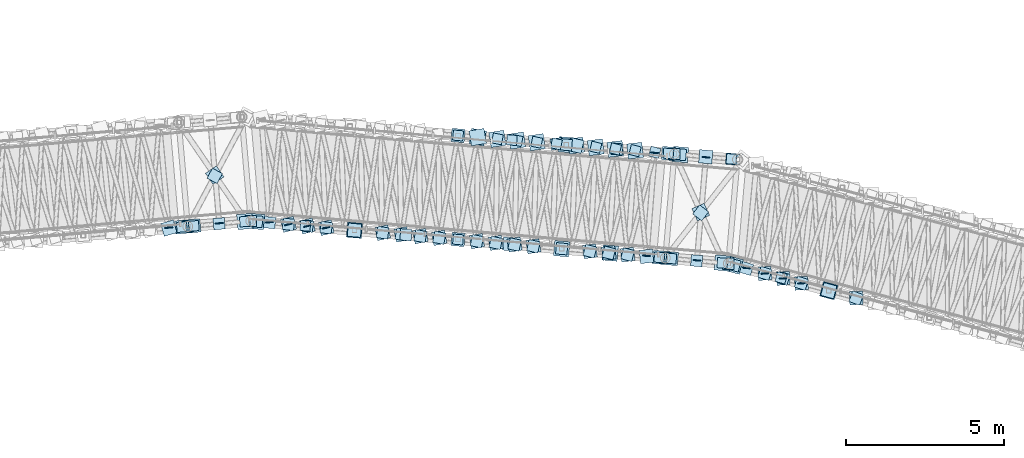
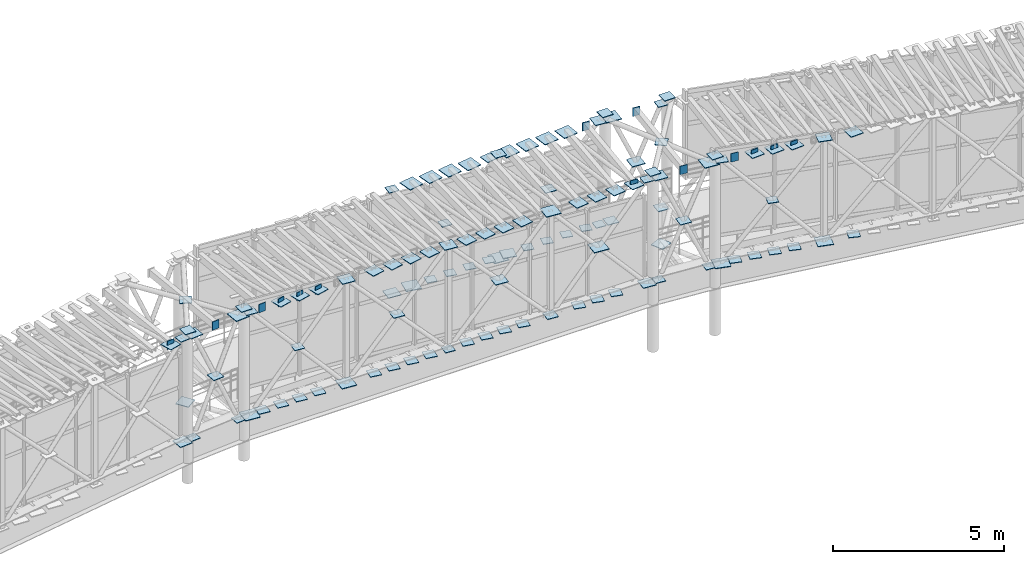
# One storey, part 98 of 144: 127 plates.
"""IFC4 building model written with IfcOpenShell, lengths in metres."""

from ifc_helpers import new_model, si_unit, direction, frame, origin, origin_2d, place, context, subcontext, project, spatial, rectangle, extrude, material, layer, layer_set, type_object, element, save


model = new_model("IFC4")

# Units and contexts
model_context = context("Model", 3, precision=1e-05, world=origin(), true_north=direction((0.0, 1.0)))
body_context = subcontext(model_context, "Body", "Model", "MODEL_VIEW")
ifc_project = project(units=[si_unit("LENGTHUNIT", "METRE"), si_unit("AREAUNIT", "SQUARE_METRE"), si_unit("VOLUMEUNIT", "CUBIC_METRE"), si_unit("PLANEANGLEUNIT", "RADIAN"), si_unit("MASSUNIT", "GRAM", prefix="KILO")], contexts=[model_context])

# Site, building, storey
site_placement = place(None, origin())
site = spatial("IfcSite", under=ifc_project, at=site_placement, CompositionType="ELEMENT")
building_placement = place(site_placement, origin())
building = spatial("IfcBuilding", under=site, at=building_placement, Name="Cinderbank Siding Concert Hall", CompositionType="ELEMENT")
storey_placement = place(building_placement, frame((0.0, 0.0, 5.39990234375)))
storey = spatial("IfcBuildingStorey", under=building, at=storey_placement, Name="L02", CompositionType="ELEMENT", Elevation=5.39990234375)

# Plates
ifc_material = material(Name="Structural steel welded plate section AS/NZS 3679.2 / AS/NZS 3678 Grade 350 (340 MPa)", Category="steel")
ifc_layer_1 = layer(ifc_material, 0.02490234375)
ifc_layer_set_1 = layer_set([ifc_layer_1], Name="Structural steel welded plate section AS/NZS 3679.2 / AS/NZS 3678 Grade 350 (340 MPa)")
plate_type_1 = type_object("IfcPlateType", Name="GP-01 Steel Gusset Cap Plate 480x480x25", PredefinedType="SHEET", material=ifc_layer_set_1)
for number, where, z_axis, x_axis, name in (
    (1, (79.291748046875, 99.131591796875, 5.15771484375), (0.0, 0.0, 1.0), (0.996209894465, 0.086981872646, 0.0), "L02 Steel Node Gusset Plate GP-01 #316"),
    (2, (89.450927734375, 101.556884765625, 2.177734375), (0.0, 0.0, 1.0), (0.996345296191, -0.085416923137, 0.0), "L02 Steel Node Gusset Plate GP-01 #332"),
    (3, (79.670166015625, 99.131103515625, 1.471435546875), (0.0, 0.0, 1.0), (0.996025535259, -0.089068137472, 0.0), "L02 Steel Node Gusset Plate GP-01 #336"),
    (4, (82.756591796875, 98.855224609375, 1.69775390625), (0.0, 0.0, 1.0), (0.996025535259, -0.089068137472, 0.0), "L02 Steel Node Gusset Plate GP-01 #340"),
    (5, (89.3076171875, 98.269775390625, 5.877685546875), (0.0, 0.0, 1.0), (0.996025535259, -0.089068137472, 0.0), "L02 Steel Node Gusset Plate GP-01 #344"),
    (6, (90.8408203125, 98.1328125, 4.15185546875), (0.0, 0.0, 1.0), (0.996025535259, -0.089068137472, 0.0), "L02 Steel Node Gusset Plate GP-01 #348"),
    (7, (86.653564453125, 101.796630859375, 2.01123046875), (0.0, 0.0, 1.0), (0.188752663223, 0.982024659632, 0.0), "L02 Steel Node Gusset Plate GP-01 #384"),
    (8, (86.653564453125, 101.796630859375, 5.6513671875), (0.0, 0.0, 1.0), (0.167973243363, -0.9857915548, 0.0), "L02 Steel Node Gusset Plate GP-01 #388"),
    (9, (87.275390625, 101.743408203125, 5.695068359375), (0.0, 0.0, 1.0), (0.160570299793, -0.987024406397, 0.0), "L02 Steel Node Gusset Plate GP-01 #392"),
    (10, (87.89697265625, 101.690185546875, 5.738525390625), (0.0, 0.0, 1.0), (0.152985836284, -0.988228381447, 0.0), "L02 Steel Node Gusset Plate GP-01 #396"),
    (11, (88.5185546875, 101.636962890625, 5.7822265625), (0.0, 0.0, 1.0), (0.145392350643, -0.989374077068, 0.0), "L02 Steel Node Gusset Plate GP-01 #400"),
    (12, (89.76171875, 101.530517578125, 5.869384765625), (0.0, 0.0, 1.0), (0.130353150461, -0.991467627391, 0.0), "L02 Steel Node Gusset Plate GP-01 #404"),
    (13, (90.383544921875, 101.47705078125, 5.9130859375), (0.0, 0.0, 1.0), (0.122735456807, -0.992439422656, 0.0), "L02 Steel Node Gusset Plate GP-01 #408"),
    (14, (91.005126953125, 101.423828125, 5.956787109375), (0.0, 0.0, 1.0), (0.115110524996, -0.993352690153, 0.0), "L02 Steel Node Gusset Plate GP-01 #412"),
    (15, (91.626708984375, 101.37060546875, 6.000244140625), (0.0, 0.0, 1.0), (0.10730528114, -0.994226119472, 0.0), "L02 Steel Node Gusset Plate GP-01 #416"),
    (16, (93.059326171875, 101.24755859375, 6.11767578125), (0.0, 0.0, 1.0), (0.996209894465, -0.086981872646, 0.0), "L02 Steel Node Gusset Plate GP-01 #420"),
    (17, (94.3857421875, 97.818603515625, 6.11767578125), (0.0, 0.0, 1.0), (0.996164214307, -0.08750347498, 0.0), "L02 Steel Node Gusset Plate GP-01 #424"),
    (18, (94.75830078125, 97.75244140625, 2.431640625), (0.0, 0.0, 1.0), (0.965427149561, -0.260673011437, 0.0), "L02 Steel Node Gusset Plate GP-01 #444"),
    (19, (97.749755859375, 96.945068359375, 2.65771484375), (0.0, 0.0, 1.0), (0.965427149561, -0.260673011437, 0.0), "L02 Steel Node Gusset Plate GP-01 #448"),
):
    element("IfcPlate", number, at=place(storey_placement, frame(where, z_axis=z_axis, x_axis=x_axis)), inside=storey, type_object=plate_type_1, Name=name, PredefinedType="SHEET", context=body_context, shape_type="SweptSolid", body=[
        extrude(rectangle(XDim=0.47998046875, YDim=0.47998046875, at=origin_2d()), origin(), (0.0, 0.0, 1.0), 0.02490234375),
    ])
ifc_layer_2 = layer(ifc_material, 0.02197265625)
ifc_layer_set_2 = layer_set([ifc_layer_2], Name="Structural steel welded plate section AS/NZS 3679.2 / AS/NZS 3678 Grade 350 (340 MPa)")
plate_type_2 = type_object("IfcPlateType", Name="GP-02 Steel Gusset Cap Plate 420x420x22", PredefinedType="SHEET", material=ifc_layer_set_2)
for number, where, z_axis, x_axis, name in (
    (20, (77.2998046875, 98.95751953125, 1.4453125), (0.0, 0.0, 1.0), (0.996255301507, 0.086460246466, 0.0), "L02 Steel Node Gusset Plate GP-02 #245"),
    (21, (76.88818359375, 98.921875, 5.08544921875), (0.0, 0.0, 1.0), (0.273791358997, -0.961789109805, 0.0), "L02 Steel Node Gusset Plate GP-02 #309"),
    (22, (77.67822265625, 98.990478515625, 5.1591796875), (0.0, 0.0, 1.0), (0.996209894465, 0.086981872646, 0.0), "L02 Steel Node Gusset Plate GP-02 #317"),
    (23, (78.340087890625, 100.598388671875, 1.509033203125), (0.0, 0.0, 1.0), (0.564967003425, -0.825113498278, 0.0), "L02 Steel Node Gusset Plate GP-02 #321"),
    (24, (86.031982421875, 101.85009765625, 1.939208984375), (0.0, 0.0, 1.0), (0.996345296191, -0.085416923137, 0.0), "L02 Steel Node Gusset Plate GP-02 #329"),
    (25, (92.6806640625, 101.2802734375, 6.105712890625), (0.0, 0.0, 1.0), (0.996345296191, -0.085416923137, 0.0), "L02 Steel Node Gusset Plate GP-02 #333"),
    (26, (82.756591796875, 98.855224609375, 5.399169921875), (0.0, 0.0, 1.0), (0.996025535259, -0.089068137472, 0.0), "L02 Steel Node Gusset Plate GP-02 #337"),
    (27, (86.031982421875, 98.5625, 5.63916015625), (0.0, 0.0, 1.0), (0.996025535259, -0.089068137472, 0.0), "L02 Steel Node Gusset Plate GP-02 #341"),
    (28, (87.659423828125, 98.4169921875, 3.919921875), (0.0, 0.0, 1.0), (0.996025535259, -0.089068137472, 0.0), "L02 Steel Node Gusset Plate GP-02 #345"),
    (29, (92.393798828125, 97.993896484375, 2.4052734375), (0.0, 0.0, 1.0), (0.996025535259, -0.089068137472, 0.0), "L02 Steel Node Gusset Plate GP-02 #349"),
    (30, (80.672119140625, 99.04150390625, 5.21630859375), (0.0, 0.0, 1.0), (0.248351772716, -0.968669911264, 0.0), "L02 Steel Node Gusset Plate GP-02 #353"),
    (31, (81.267578125, 98.98828125, 5.260009765625), (0.0, 0.0, 1.0), (0.241244442494, -0.970464383152, 0.0), "L02 Steel Node Gusset Plate GP-02 #357"),
    (32, (81.86328125, 98.93505859375, 5.3037109375), (0.0, 0.0, 1.0), (0.233954463532, -0.972247555406, 0.0), "L02 Steel Node Gusset Plate GP-02 #361"),
    (33, (83.64990234375, 98.775390625, 5.4345703125), (0.0, 0.0, 1.0), (0.212348227928, -0.977194059589, 0.0), "L02 Steel Node Gusset Plate GP-02 #369"),
    (34, (84.245361328125, 98.72216796875, 5.478271484375), (0.0, 0.0, 1.0), (0.205008557553, -0.978760180703, 0.0), "L02 Steel Node Gusset Plate GP-02 #373"),
    (35, (84.8408203125, 98.6689453125, 5.521728515625), (0.0, 0.0, 1.0), (0.197657340379, -0.980271174622, 0.0), "L02 Steel Node Gusset Plate GP-02 #377"),
    (36, (85.4365234375, 98.61572265625, 5.5654296875), (0.0, 0.0, 1.0), (0.190294990453, -0.98172695624, 0.0), "L02 Steel Node Gusset Plate GP-02 #381"),
    (37, (86.62744140625, 98.50927734375, 5.65283203125), (0.0, 0.0, 1.0), (0.17553855164, -0.984472557712, 0.0), "L02 Steel Node Gusset Plate GP-02 #385"),
    (38, (87.22314453125, 98.4560546875, 5.696533203125), (0.0, 0.0, 1.0), (0.167973243363, -0.9857915548, 0.0), "L02 Steel Node Gusset Plate GP-02 #389"),
    (39, (87.818603515625, 98.40283203125, 5.739990234375), (0.0, 0.0, 1.0), (0.160570299793, -0.987024406397, 0.0), "L02 Steel Node Gusset Plate GP-02 #393"),
    (40, (88.414306640625, 98.349609375, 5.78369140625), (0.0, 0.0, 1.0), (0.152985836284, -0.988228381447, 0.0), "L02 Steel Node Gusset Plate GP-02 #397"),
    (41, (89.76171875, 101.530517578125, 2.23095703125), (0.0, 0.0, 1.0), (0.226481313111, 0.97401551056, 0.0), "L02 Steel Node Gusset Plate GP-02 #401"),
    (42, (90.20068359375, 98.18994140625, 5.91455078125), (0.0, 0.0, 1.0), (0.130353150461, -0.991467627391, 0.0), "L02 Steel Node Gusset Plate GP-02 #405"),
    (43, (90.79638671875, 98.13671875, 5.958251953125), (0.0, 0.0, 1.0), (0.122735456807, -0.992439422656, 0.0), "L02 Steel Node Gusset Plate GP-02 #409"),
    (44, (91.391845703125, 98.08349609375, 6.001708984375), (0.0, 0.0, 1.0), (0.115110524996, -0.993352690153, 0.0), "L02 Steel Node Gusset Plate GP-02 #413"),
    (45, (91.987548828125, 98.0302734375, 6.04541015625), (0.0, 0.0, 1.0), (0.10730528114, -0.994226119472, 0.0), "L02 Steel Node Gusset Plate GP-02 #417"),
    (46, (93.860595703125, 101.177490234375, 4.28271484375), (0.0, 0.0, 1.0), (0.996209894465, -0.086981872646, 0.0), "L02 Steel Node Gusset Plate GP-02 #421"),
    (47, (92.772216796875, 97.96044921875, 6.119140625), (0.0, 0.0, 1.0), (0.996164214307, -0.08750347498, 0.0), "L02 Steel Node Gusset Plate GP-02 #425"),
    (48, (93.702880859375, 99.428955078125, 2.468994140625), (0.0, 0.0, 1.0), (0.413104429825, -0.910683660806, 0.0), "L02 Steel Node Gusset Plate GP-02 #429"),
    (49, (97.749755859375, 96.945068359375, 6.359130859375), (0.0, 0.0, 1.0), (0.965427149561, -0.260673011437, 0.0), "L02 Steel Node Gusset Plate GP-02 #445"),
    (50, (95.7294921875, 97.490478515625, 6.176513671875), (0.0, 0.0, 1.0), (0.076370986393, -0.997079471475, 0.0), "L02 Steel Node Gusset Plate GP-02 #461"),
    (51, (96.306640625, 97.33447265625, 6.219970703125), (0.0, 0.0, 1.0), (0.069060025714, -0.997612506361, 0.0), "L02 Steel Node Gusset Plate GP-02 #465"),
    (52, (96.8837890625, 97.1787109375, 6.263671875), (0.0, 0.0, 1.0), (0.061745354146, -0.998091935265, 0.0), "L02 Steel Node Gusset Plate GP-02 #469"),
    (53, (98.615478515625, 96.711181640625, 6.39453125), (0.0, 0.0, 1.0), (0.039434213527, -0.999222168891, 0.0), "L02 Steel Node Gusset Plate GP-02 #477"),
):
    element("IfcPlate", number, at=place(storey_placement, frame(where, z_axis=z_axis, x_axis=x_axis)), inside=storey, type_object=plate_type_2, Name=name, PredefinedType="SHEET", context=body_context, shape_type="SweptSolid", body=[
        extrude(rectangle(XDim=0.419921875, YDim=0.419921875, at=origin_2d()), origin(), (0.0, 0.0, 1.0), 0.02197265625),
    ])
ifc_layer_3 = layer(ifc_material, 0.02001953125)
ifc_layer_set_3 = layer_set([ifc_layer_3], Name="Structural steel welded plate section AS/NZS 3679.2 / AS/NZS 3678 Grade 350 (340 MPa)")
plate_type_3 = type_object("IfcPlateType", Name="GP-03 Steel Gusset Cap Plate 360x360x20", PredefinedType="SHEET", material=ifc_layer_set_3)
for number, where, z_axis, x_axis, name in (
    (54, (77.489013671875, 98.97412109375, 5.35009765625), (0.0, 0.0, 1.0), (1.0, 0.0, 0.0), "L02 Column End Cap Plate GP-03 COL-BRR-03-L02"),
    (55, (79.48095703125, 99.14794921875, 5.35009765625), (0.0, 0.0, 1.0), (1.0, 0.0, 0.0), "L02 Column End Cap Plate GP-03 COL-BRR-04-L02"),
    (56, (92.8701171875, 101.263916015625, 6.31005859375), (0.0, 0.0, 1.0), (1.0, 0.0, 0.0), "L02 Column End Cap Plate GP-03 COL-BRL-05-L02"),
    (57, (92.5830078125, 97.97705078125, 6.31005859375), (0.0, 0.0, 1.0), (1.0, 0.0, 0.0), "L02 Column End Cap Plate GP-03 COL-BRR-05-L02"),
    (58, (94.863037109375, 101.090087890625, 6.31005859375), (0.0, 0.0, 1.0), (1.0, 0.0, 0.0), "L02 Column End Cap Plate GP-03 COL-BRL-06-L02"),
    (59, (94.574951171875, 97.802001953125, 6.31005859375), (0.0, 0.0, 1.0), (1.0, 0.0, 0.0), "L02 Column End Cap Plate GP-03 COL-BRR-06-L02"),
    (60, (78.47900390625, 99.060546875, 3.32373046875), (0.0, 0.0, 1.0), (0.996209894465, 0.086981872646, 0.0), "L02 Steel Node Gusset Plate GP-03 #318"),
    (61, (78.341552734375, 100.572998046875, 5.16015625), (0.0, 0.0, 1.0), (0.470395925757, 0.882455479348, 0.0), "L02 Steel Node Gusset Plate GP-03 #322"),
    (62, (89.450927734375, 101.556884765625, 5.880126953125), (0.0, 0.0, 1.0), (0.996345296191, -0.085416923137, 0.0), "L02 Steel Node Gusset Plate GP-03 #330"),
    (63, (91.0556640625, 101.41943359375, 4.154296875), (0.0, 0.0, 1.0), (0.996345296191, -0.085416923137, 0.0), "L02 Steel Node Gusset Plate GP-03 #334"),
    (64, (79.670166015625, 99.131103515625, 5.174072265625), (0.0, 0.0, 1.0), (0.996025535259, -0.089068137472, 0.0), "L02 Steel Node Gusset Plate GP-03 #338"),
    (65, (84.384033203125, 98.709716796875, 3.680908203125), (0.0, 0.0, 1.0), (0.996025535259, -0.089068137472, 0.0), "L02 Steel Node Gusset Plate GP-03 #342"),
    (66, (89.3076171875, 98.269775390625, 2.18017578125), (0.0, 0.0, 1.0), (0.996025535259, -0.089068137472, 0.0), "L02 Steel Node Gusset Plate GP-03 #346"),
    (67, (80.076416015625, 99.0947265625, 1.53369140625), (0.0, 0.0, 1.0), (0.110775124211, 0.993845496974, 0.0), "L02 Steel Node Gusset Plate GP-03 #350"),
    (68, (80.672119140625, 99.04150390625, 1.577392578125), (0.0, 0.0, 1.0), (0.118750571435, 0.992924116831, 0.0), "L02 Steel Node Gusset Plate GP-03 #354"),
    (69, (81.267578125, 98.98828125, 1.62109375), (0.0, 0.0, 1.0), (0.126545236492, 0.991960837494, 0.0), "L02 Steel Node Gusset Plate GP-03 #358"),
    (70, (81.86328125, 98.93505859375, 1.66455078125), (0.0, 0.0, 1.0), (0.134505044618, 0.990912908874, 0.0), "L02 Steel Node Gusset Plate GP-03 #362"),
    (71, (83.64990234375, 98.775390625, 1.795654296875), (0.0, 0.0, 1.0), (0.157985728626, 0.987441395502, 0.0), "L02 Steel Node Gusset Plate GP-03 #370"),
    (72, (84.245361328125, 98.72216796875, 1.839111328125), (0.0, 0.0, 1.0), (0.165736122828, 0.986170136229, 0.0), "L02 Steel Node Gusset Plate GP-03 #374"),
    (73, (84.8408203125, 98.6689453125, 1.8828125), (0.0, 0.0, 1.0), (0.173476293645, 0.984838045337, 0.0), "L02 Steel Node Gusset Plate GP-03 #378"),
    (74, (85.4365234375, 98.61572265625, 1.926513671875), (0.0, 0.0, 1.0), (0.1810341173, 0.983476816388, 0.0), "L02 Steel Node Gusset Plate GP-03 #382"),
    (75, (86.62744140625, 98.50927734375, 2.013671875), (0.0, 0.0, 1.0), (0.196459565994, 0.98051192697, 0.0), "L02 Steel Node Gusset Plate GP-03 #386"),
    (76, (87.22314453125, 98.4560546875, 2.057373046875), (0.0, 0.0, 1.0), (0.203983490067, 0.978974328458, 0.0), "L02 Steel Node Gusset Plate GP-03 #390"),
    (77, (87.818603515625, 98.40283203125, 2.10107421875), (0.0, 0.0, 1.0), (0.211495384491, 0.977378996264, 0.0), "L02 Steel Node Gusset Plate GP-03 #394"),
    (78, (88.414306640625, 98.349609375, 2.14453125), (0.0, 0.0, 1.0), (0.218994806262, 0.975726024471, 0.0), "L02 Steel Node Gusset Plate GP-03 #398"),
    (79, (89.14013671875, 101.58349609375, 5.828369140625), (0.0, 0.0, 1.0), (0.137963156715, -0.990437361669, 0.0), "L02 Steel Node Gusset Plate GP-03 #402"),
    (80, (90.20068359375, 98.18994140625, 2.275634765625), (0.0, 0.0, 1.0), (0.241413816807, 0.970422263272, 0.0), "L02 Steel Node Gusset Plate GP-03 #406"),
    (81, (90.79638671875, 98.13671875, 2.319091796875), (0.0, 0.0, 1.0), (0.248689887165, 0.968583161129, 0.0), "L02 Steel Node Gusset Plate GP-03 #410"),
    (82, (91.391845703125, 98.08349609375, 2.36279296875), (0.0, 0.0, 1.0), (0.255951950439, 0.966689504994, 0.0), "L02 Steel Node Gusset Plate GP-03 #414"),
    (83, (93.059326171875, 101.24755859375, 2.420166015625), (0.0, 0.0, 1.0), (0.996209894465, -0.086981872646, 0.0), "L02 Steel Node Gusset Plate GP-03 #418"),
    (84, (94.673583984375, 101.1064453125, 2.420166015625), (0.0, 0.0, 1.0), (0.996209894465, -0.086981872646, 0.0), "L02 Steel Node Gusset Plate GP-03 #422"),
    (85, (93.572998046875, 97.889892578125, 4.28369140625), (0.0, 0.0, 1.0), (0.996164214307, -0.08750347498, 0.0), "L02 Steel Node Gusset Plate GP-03 #426"),
    (86, (93.699951171875, 99.403564453125, 6.1201171875), (0.0, 0.0, 1.0), (0.616486340532, 0.78736560246, 0.0), "L02 Steel Node Gusset Plate GP-03 #430"),
    (87, (94.75830078125, 97.75244140625, 6.134033203125), (0.0, 0.0, 1.0), (0.965427149561, -0.260673011437, 0.0), "L02 Steel Node Gusset Plate GP-03 #446"),
    (88, (95.152099609375, 97.646240234375, 2.49365234375), (0.0, 0.0, 1.0), (0.281671660596, 0.959510852267, 0.0), "L02 Steel Node Gusset Plate GP-03 #458"),
    (89, (95.7294921875, 97.490478515625, 2.537353515625), (0.0, 0.0, 1.0), (0.289365946873, 0.957218548081, 0.0), "L02 Steel Node Gusset Plate GP-03 #462"),
    (90, (96.306640625, 97.33447265625, 2.5810546875), (0.0, 0.0, 1.0), (0.296874921752, 0.954916373739, 0.0), "L02 Steel Node Gusset Plate GP-03 #466"),
    (91, (96.8837890625, 97.1787109375, 2.62451171875), (0.0, 0.0, 1.0), (0.304531831612, 0.952502159334, 0.0), "L02 Steel Node Gusset Plate GP-03 #470"),
    (92, (98.615478515625, 96.711181640625, 2.755615234375), (0.0, 0.0, 1.0), (0.327052969298, 0.945006008062, 0.0), "L02 Steel Node Gusset Plate GP-03 #478"),
):
    element("IfcPlate", number, at=place(storey_placement, frame(where, z_axis=z_axis, x_axis=x_axis)), inside=storey, type_object=plate_type_3, Name=name, PredefinedType="SHEET", context=body_context, shape_type="SweptSolid", body=[
        extrude(rectangle(XDim=0.360107421875, YDim=0.360107421875, at=origin_2d()), origin(), (0.0, 0.0, 1.0), 0.02001953125),
    ])
ifc_layer_4 = layer(ifc_material, 0.02099609375)
ifc_layer_set_4 = layer_set([ifc_layer_4], Name="Structural steel welded plate section AS/NZS 3679.2 / AS/NZS 3678 Grade 350 (340 MPa)")
plate_type_4 = type_object("IfcPlateType", Name="GP-04 Steel Gusset Cap Plate 320x320x21", PredefinedType="SHEET", material=ifc_layer_set_4)
for number, where, z_axis, x_axis, name in (
    (93, (77.2998046875, 98.95751953125, 5.14599609375), (0.0, 0.0, 1.0), (0.996255301507, 0.086460246466, 0.0), "L02 Steel Node Gusset Plate GP-04 #243"),
    (94, (77.67822265625, 98.990478515625, 1.459716796875), (0.0, 0.0, 1.0), (0.996209894465, 0.086981872646, 0.0), "L02 Steel Node Gusset Plate GP-04 #315"),
    (95, (79.291748046875, 99.131591796875, 1.459716796875), (0.0, 0.0, 1.0), (0.996209894465, 0.086981872646, 0.0), "L02 Steel Node Gusset Plate GP-04 #319"),
    (96, (86.031982421875, 101.85009765625, 5.6396484375), (0.0, 0.0, 1.0), (0.996345296191, -0.085416923137, 0.0), "L02 Steel Node Gusset Plate GP-04 #327"),
    (97, (87.73095703125, 101.704345703125, 3.92041015625), (0.0, 0.0, 1.0), (0.996345296191, -0.085416923137, 0.0), "L02 Steel Node Gusset Plate GP-04 #331"),
    (98, (92.6806640625, 101.2802734375, 2.40625), (0.0, 0.0, 1.0), (0.996345296191, -0.085416923137, 0.0), "L02 Steel Node Gusset Plate GP-04 #335"),
    (99, (81.203369140625, 98.994140625, 3.44775390625), (0.0, 0.0, 1.0), (0.996025535259, -0.089068137472, 0.0), "L02 Steel Node Gusset Plate GP-04 #339"),
    (100, (86.031982421875, 98.5625, 1.939697265625), (0.0, 0.0, 1.0), (0.996025535259, -0.089068137472, 0.0), "L02 Steel Node Gusset Plate GP-04 #343"),
    (101, (92.393798828125, 97.993896484375, 6.105712890625), (0.0, 0.0, 1.0), (0.996025535259, -0.089068137472, 0.0), "L02 Steel Node Gusset Plate GP-04 #347"),
    (102, (87.275390625, 101.743408203125, 2.056884765625), (0.0, 0.0, 1.0), (0.196459565994, 0.98051192697, 0.0), "L02 Steel Node Gusset Plate GP-04 #387"),
    (103, (87.89697265625, 101.690185546875, 2.1005859375), (0.0, 0.0, 1.0), (0.203983490067, 0.978974328458, 0.0), "L02 Steel Node Gusset Plate GP-04 #391"),
    (104, (88.5185546875, 101.636962890625, 2.14404296875), (0.0, 0.0, 1.0), (0.211495384491, 0.977378996264, 0.0), "L02 Steel Node Gusset Plate GP-04 #395"),
    (105, (89.14013671875, 101.58349609375, 2.187744140625), (0.0, 0.0, 1.0), (0.218994806262, 0.975726024471, 0.0), "L02 Steel Node Gusset Plate GP-04 #399"),
    (106, (90.383544921875, 101.47705078125, 2.275146484375), (0.0, 0.0, 1.0), (0.233954463532, 0.972247555406, 0.0), "L02 Steel Node Gusset Plate GP-04 #403"),
    (107, (91.005126953125, 101.423828125, 2.318603515625), (0.0, 0.0, 1.0), (0.241413816807, 0.970422263272, 0.0), "L02 Steel Node Gusset Plate GP-04 #407"),
    (108, (91.626708984375, 101.37060546875, 2.3623046875), (0.0, 0.0, 1.0), (0.248689887165, 0.968583161129, 0.0), "L02 Steel Node Gusset Plate GP-04 #411"),
    (109, (92.248291015625, 101.3173828125, 2.406005859375), (0.0, 0.0, 1.0), (0.255951950439, 0.966689504994, 0.0), "L02 Steel Node Gusset Plate GP-04 #415"),
    (110, (94.673583984375, 101.1064453125, 6.11962890625), (0.0, 0.0, 1.0), (0.996209894465, -0.086981872646, 0.0), "L02 Steel Node Gusset Plate GP-04 #419"),
    (111, (92.772216796875, 97.96044921875, 2.419677734375), (0.0, 0.0, 1.0), (0.996164214307, -0.08750347498, 0.0), "L02 Steel Node Gusset Plate GP-04 #423"),
    (112, (94.3857421875, 97.818603515625, 2.419677734375), (0.0, 0.0, 1.0), (0.996164214307, -0.08750347498, 0.0), "L02 Steel Node Gusset Plate GP-04 #427"),
    (113, (96.244384765625, 97.351318359375, 4.40771484375), (0.0, 0.0, 1.0), (0.965427149561, -0.260673011437, 0.0), "L02 Steel Node Gusset Plate GP-04 #447"),
):
    element("IfcPlate", number, at=place(storey_placement, frame(where, z_axis=z_axis, x_axis=x_axis)), inside=storey, type_object=plate_type_4, Name=name, PredefinedType="SHEET", context=body_context, shape_type="SweptSolid", body=[
        extrude(rectangle(XDim=0.320068359375, YDim=0.320068359375, at=origin_2d()), origin(), (0.0, 0.0, 1.0), 0.02099609375),
    ])
plate_type_5 = type_object("IfcPlateType", Name="GP-09 Steel Gusset Cap Plate 20x220x280", PredefinedType="SHEET", material=ifc_material)
for number, where, z_axis, x_axis, name in (
    (114, (76.88671875, 98.936767578125, 4.9462890625), (0.0, 0.0, 1.0), (-0.092023008338, 0.995756880939, 0.0), "L02 Bridge Purlin End Cap Plate GP-09 #26"),
    (115, (78.483642578125, 99.075927734375, 4.990234375), (0.0, 0.0, 1.0), (-0.087155742748, 0.996194698092, 0.0), "L02 Bridge Purlin End Cap Plate GP-09 #28"),
    (116, (80.075439453125, 99.109619140625, 5.03369140625), (0.0, 0.0, 1.0), (-0.079155056145, 0.996862316013, 0.0), "L02 Bridge Purlin End Cap Plate GP-09 #30"),
):
    element("IfcPlate", number, at=place(storey_placement, frame(where, z_axis=z_axis, x_axis=x_axis)), inside=storey, type_object=plate_type_5, Name=name, PredefinedType="SHEET", context=body_context, shape_type="SweptSolid", body=[
        extrude(rectangle(XDim=0.02001953125, YDim=0.239990234375, at=origin_2d()), origin(), (0.0, 0.0, 1.0), 0.300048828125),
    ])
for number, where, z_axis, x_axis, name in (
    (117, (80.672119140625, 99.04150390625, 5.08740234375), (0.0, 0.0, 1.0), (0.248351772716, -0.968669911264, 0.0), "L02 Bridge Roof Brace Cap Plate GP-09 #33"),
    (118, (81.267578125, 98.98828125, 5.130859375), (0.0, 0.0, 1.0), (0.241244442494, -0.970464383152, 0.0), "L02 Bridge Roof Brace Cap Plate GP-09 #35"),
    (119, (81.86328125, 98.93505859375, 5.1748046875), (0.0, 0.0, 1.0), (0.233954463532, -0.972247555406, 0.0), "L02 Bridge Roof Brace Cap Plate GP-09 #37"),
):
    element("IfcPlate", number, at=place(storey_placement, frame(where, z_axis=z_axis, x_axis=x_axis)), inside=storey, type_object=plate_type_5, Name=name, PredefinedType="SHEET", context=body_context, shape_type="SweptSolid", body=[
        extrude(rectangle(XDim=0.02392578125, YDim=0.239990234375, at=origin_2d()), origin(), (0.0, 0.0, 1.0), 0.280029296875),
    ])
for number, where, z_axis, x_axis, name in (
    (120, (91.988525390625, 98.045166015625, 5.90625), (0.0, 0.0, 1.0), (0.079155056145, 0.996862316013, 0.0), "L02 Bridge Purlin End Cap Plate GP-09 #38"),
    (121, (92.247314453125, 101.30224609375, 5.90625), (0.0, 0.0, 1.0), (0.079155056145, 0.996862316013, 0.0), "L02 Bridge Purlin End Cap Plate GP-09 #39"),
    (122, (93.580322265625, 97.904296875, 5.9501953125), (0.0, 0.0, 1.0), (0.087155742748, 0.996194698092, 0.0), "L02 Bridge Purlin End Cap Plate GP-09 #40"),
    (123, (93.865234375, 101.162109375, 5.9501953125), (0.0, 0.0, 1.0), (0.087155742748, 0.996194698092, 0.0), "L02 Bridge Purlin End Cap Plate GP-09 #41"),
    (124, (95.15380859375, 97.6611328125, 5.99365234375), (0.0, 0.0, 1.0), (0.095150811579, 0.995462868748, 0.0), "L02 Bridge Purlin End Cap Plate GP-09 #42"),
):
    element("IfcPlate", number, at=place(storey_placement, frame(where, z_axis=z_axis, x_axis=x_axis)), inside=storey, type_object=plate_type_5, Name=name, PredefinedType="SHEET", context=body_context, shape_type="SweptSolid", body=[
        extrude(rectangle(XDim=0.02001953125, YDim=0.239990234375, at=origin_2d()), origin(), (0.0, 0.0, 1.0), 0.300048828125),
    ])
for number, where, z_axis, x_axis, name in (
    (125, (95.7294921875, 97.490478515625, 6.04736328125), (0.0, 0.0, 1.0), (0.076370986393, -0.997079471475, 0.0), "L02 Bridge Roof Brace Cap Plate GP-09 #45"),
    (126, (96.306640625, 97.33447265625, 6.0908203125), (0.0, 0.0, 1.0), (0.069060025714, -0.997612506361, 0.0), "L02 Bridge Roof Brace Cap Plate GP-09 #47"),
    (127, (96.8837890625, 97.1787109375, 6.134765625), (0.0, 0.0, 1.0), (0.061745354146, -0.998091935265, 0.0), "L02 Bridge Roof Brace Cap Plate GP-09 #49"),
):
    element("IfcPlate", number, at=place(storey_placement, frame(where, z_axis=z_axis, x_axis=x_axis)), inside=storey, type_object=plate_type_5, Name=name, PredefinedType="SHEET", context=body_context, shape_type="SweptSolid", body=[
        extrude(rectangle(XDim=0.02392578125, YDim=0.239990234375, at=origin_2d()), origin(), (0.0, 0.0, 1.0), 0.280029296875),
    ])

save(model, "model.ifc")
